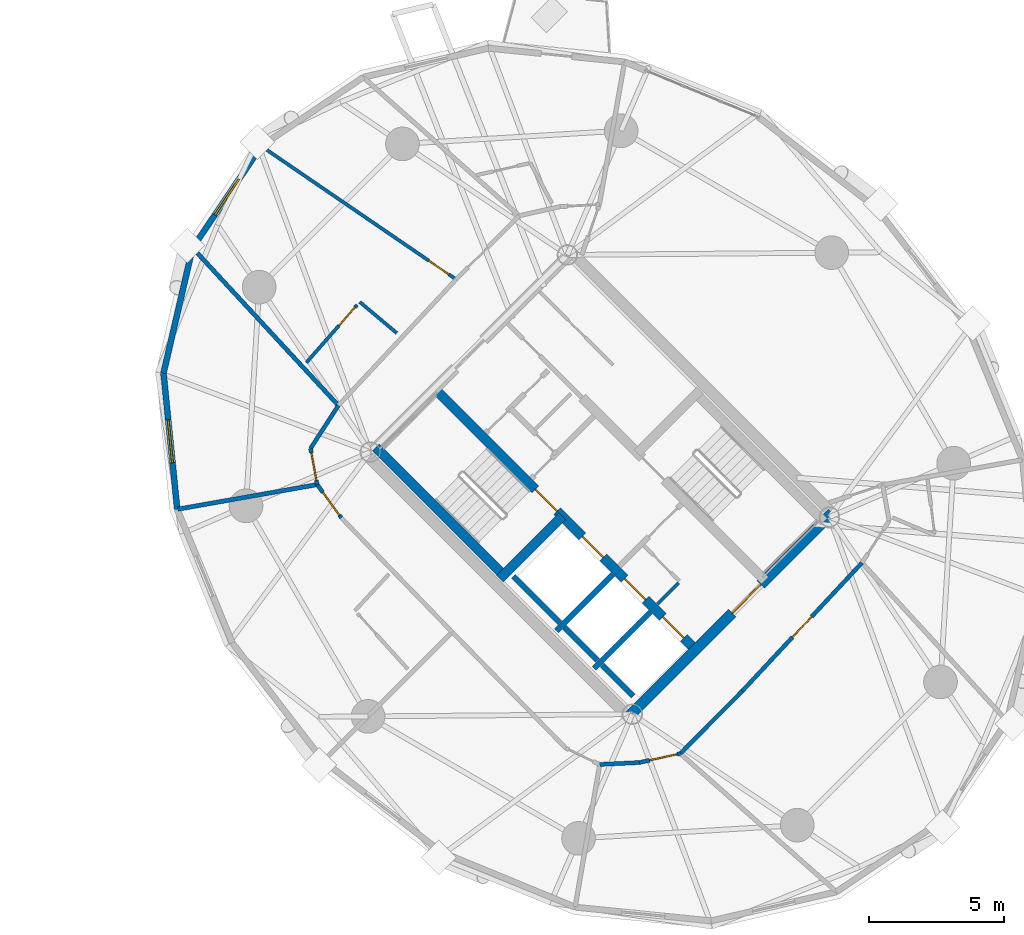
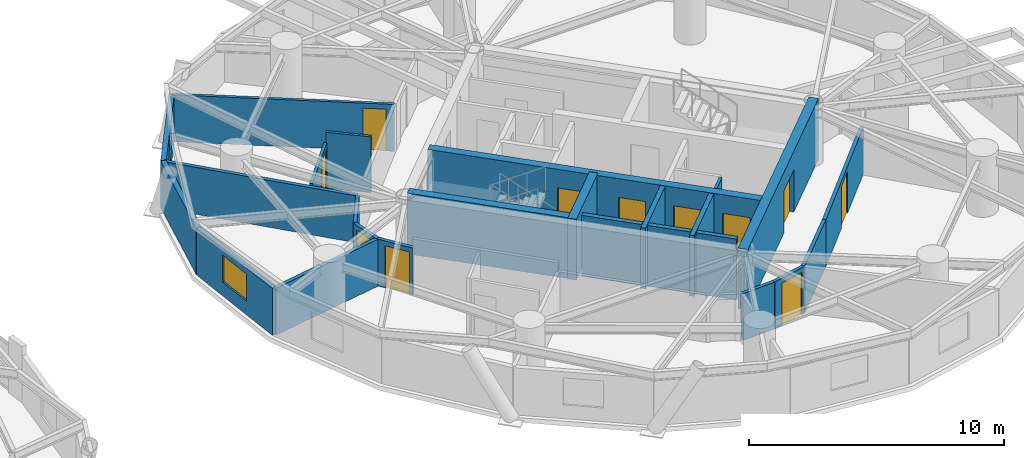
# One storey, part 13 of 19: 25 walls, 11 doors, 2 windows, 13 openings.
"""IFC4 building model written with IfcOpenShell, lengths in metres."""

from ifc_helpers import new_model, si_unit, direction, frame, frame_2d, origin, place, context, subcontext, project, spatial, rectangle, extrude, source, transform, mapped, material, layer, layer_set, type_object, element, fill, save


model = new_model("IFC4")

# Units and contexts
model_context = context("Model", 3, precision=1e-05, world=origin(), true_north=direction((0.0, 1.0)))
body_context = subcontext(model_context, "Body", "Model", "MODEL_VIEW")
ifc_project = project(units=[si_unit("LENGTHUNIT", "METRE"), si_unit("AREAUNIT", "SQUARE_METRE"), si_unit("VOLUMEUNIT", "CUBIC_METRE"), si_unit("PLANEANGLEUNIT", "RADIAN"), si_unit("MASSUNIT", "GRAM", prefix="KILO")], contexts=[model_context])

# Site, building, storey
site_placement = place(None, origin())
site = spatial("IfcSite", under=ifc_project, at=site_placement, CompositionType="ELEMENT")
building_placement = place(site_placement, origin())
building = spatial("IfcBuilding", under=site, at=building_placement, Name="Cununo Teusaquillo Station Towers", CompositionType="ELEMENT")
storey_placement = place(building_placement, frame((0.0, 0.0, 151.60009765625)))
storey = spatial("IfcBuildingStorey", under=building, at=storey_placement, Name="L47", CompositionType="ELEMENT", Elevation=151.60009765625)

# Walls
ifc_material_1 = material(Name="Concrete C50/60", Category="concrete")
ifc_layer_1 = layer(ifc_material_1, 0.199951171875)
ifc_layer_set_1 = layer_set([ifc_layer_1], Name="Concrete C50/60")
wall_type_1 = type_object("IfcWallType", Name="WL-CORE-200", PredefinedType="SHEAR", material=ifc_layer_set_1)
wall_1_placement = place(storey_placement, frame((55.8876953125, 19.0693359375, 0.0), z_axis=(0.0, 0.0, 1.0), x_axis=(0.707106781187, 0.707106781187, 0.0)))
element("IfcWall", 1, at=wall_1_placement, inside=storey, type_object=wall_type_1, Name="L47 Tower B Firefighting Lift Shaft South Shear Wall", PredefinedType="SHEAR", context=body_context, shape_type="SweptSolid", body=[
    extrude(rectangle(XDim=2.969970703125, YDim=0.199951171875, at=frame_2d((1.48486328125, 0.0))), origin(), (0.0, 0.0, 1.0), 2.909912109375),
])
wall_2_placement = place(storey_placement, frame((56.01513671875, 19.366455078125, 0.0), z_axis=(0.0, 0.0, 1.0), x_axis=(-0.707106781187, 0.707106781187, 0.0)))
element("IfcWall", 2, at=wall_2_placement, inside=storey, type_object=wall_type_1, Name="L47 Tower B Firefighting Lift Shaft Rear Shear Wall", PredefinedType="SHEAR", context=body_context, shape_type="SweptSolid", body=[
    extrude(rectangle(XDim=2.43994140625, YDim=0.199951171875, at=frame_2d((1.219970703125, 0.0))), origin(), (0.0, 0.0, 1.0), 2.909912109375),
])
wall_3_placement = place(storey_placement, frame((57.2841796875, 17.6728515625, 0.0), z_axis=(0.0, 0.0, 1.0), x_axis=(0.707147878904, 0.70706568108, 0.0)))
element("IfcWall", 3, at=wall_3_placement, inside=storey, type_object=wall_type_1, Name="L47 Tower B High-Rise Lift Hoistway Divider Shear Wall", PredefinedType="SHEAR", context=body_context, shape_type="SweptSolid", body=[
    extrude(rectangle(XDim=2.97021484375, YDim=0.199951171875, at=frame_2d((1.485107421875, 0.0))), origin(), (0.0, 0.0, 1.0), 2.909912109375),
])
wall_4_placement = place(storey_placement, frame((57.41162109375, 17.969970703125, 0.0), z_axis=(0.0, 0.0, 1.0), x_axis=(-0.707106781187, 0.707106781187, 0.0)))
element("IfcWall", 4, at=wall_4_placement, inside=storey, type_object=wall_type_1, Name="L47 Tower B High-Rise Lift 2 Shaft Rear Shear Wall", PredefinedType="SHEAR", context=body_context, shape_type="SweptSolid", body=[
    extrude(rectangle(XDim=1.73486328125, YDim=0.199951171875, at=frame_2d((0.867431640625, 0.0))), origin(), (0.0, 0.0, 1.0), 2.909912109375),
])
wall_5_placement = place(storey_placement, frame((58.7373046875, 16.64404296875, 0.0), z_axis=(0.0, 0.0, 1.0), x_axis=(-0.707032117043, 0.707181437447, 0.0)))
element("IfcWall", 5, at=wall_5_placement, inside=storey, type_object=wall_type_1, Name="L47 Tower B High-Rise Lift 1 Shaft Rear Shear Wall", PredefinedType="SHEAR", context=body_context, shape_type="SweptSolid", body=[
    extrude(rectangle(XDim=1.635009765625, YDim=0.199951171875, at=frame_2d((0.8173828125, 0.0))), origin(), (0.0, 0.0, 1.0), 2.909912109375),
])

# Wall, openings, doors
ifc_material_2 = material(Name="Concrete C50/60", Category="concrete")
ifc_layer_2 = layer(ifc_material_2, 0.35009765625)
ifc_layer_set_2 = layer_set([ifc_layer_2], Name="Concrete C50/60")
wall_type_2 = type_object("IfcWallType", Name="WL-CORE-350", PredefinedType="SHEAR", material=ifc_layer_set_2)
wall_6_placement = place(storey_placement, frame((61.060302734375, 18.372802734375, 0.0), z_axis=(0.0, 0.0, 1.0), x_axis=(-0.707106781187, 0.707106781187, 0.0)))
wall_6 = element("IfcWall", 6, at=wall_6_placement, inside=storey, type_object=wall_type_2, Name="L47 Tower B Core Shear Wall IW", PredefinedType="SHEAR", context=body_context, shape_type="SweptSolid", body=[
    extrude(rectangle(XDim=13.7001953125, YDim=0.35009765625, at=frame_2d((6.85009765625, 0.0))), origin(), (0.0, 0.0, 1.0), 2.909912109375),
])
shared_shape_1 = source(origin(), body_context, "Body", "SweptSolid", [
    extrude(rectangle(XDim=1.10009765625, YDim=2.014892578125, at=frame_2d((0.550048828125, 1.00732421875))), frame((0.0, 0.18505859375, 0.0), z_axis=(0.0, -1.0, 0.0), x_axis=(1.0, 0.0, 0.0)), (0.0, 0.0, 1.0), 0.3701171875),
])
opening_1_placement = place(wall_6_placement, frame((4.85009765625, 0.0, 0.0)))
opening_1 = element("IfcOpeningElement", 7, at=opening_1_placement, cuts=wall_6, Name="Opening LD-01", PredefinedType="OPENING", context=body_context, shape_type="MappedRepresentation", body=[
    mapped(shared_shape_1, transform((0.0, 0.0, 0.0), x_axis=(1.0, 0.0, 0.0), y_axis=(0.0, 1.0, 0.0), z_axis=(0.0, 0.0, 1.0), scale=1.0)),
])
opening_2_placement = place(wall_6_placement, frame((0.625, 0.0, 0.0)))
opening_2 = element("IfcOpeningElement", 8, at=opening_2_placement, cuts=wall_6, Name="Opening LD-01", PredefinedType="OPENING", context=body_context, shape_type="MappedRepresentation", body=[
    mapped(shared_shape_1, transform((0.0, 0.0, 0.0), x_axis=(1.0, 0.0, 0.0), y_axis=(0.0, 1.0, 0.0), z_axis=(0.0, 0.0, 1.0), scale=1.0)),
])
opening_3_placement = place(wall_6_placement, frame((2.625, 0.0, 0.0)))
opening_3 = element("IfcOpeningElement", 9, at=opening_3_placement, cuts=wall_6, Name="Opening LD-01", PredefinedType="OPENING", context=body_context, shape_type="MappedRepresentation", body=[
    mapped(shared_shape_1, transform((0.0, 0.0, 0.0), x_axis=(1.0, 0.0, 0.0), y_axis=(0.0, 1.0, 0.0), z_axis=(0.0, 0.0, 1.0), scale=1.0)),
])
shared_shape_2 = source(origin(), body_context, "Body", "SweptSolid", [
    extrude(rectangle(XDim=1.14990234375, YDim=2.02001953125, at=frame_2d((0.574951171875, 1.010009765625))), frame((0.0, 0.18505859375, 0.0), z_axis=(0.0, -1.0, 0.0), x_axis=(1.0, 0.0, 0.0)), (0.0, 0.0, 1.0), 0.3701171875),
])
opening_4_placement = place(wall_6_placement, frame((7.27001953125, 0.0, 0.0)))
opening_4 = element("IfcOpeningElement", 10, at=opening_4_placement, cuts=wall_6, Name="Opening D-ST1", PredefinedType="OPENING", context=body_context, shape_type="MappedRepresentation", body=[
    mapped(shared_shape_2, transform((0.0, 0.0, 0.0), x_axis=(1.0, 0.0, 0.0), y_axis=(0.0, 1.0, 0.0), z_axis=(0.0, 0.0, 1.0), scale=1.0)),
])
ifc_material_3 = material(Name="Galvanised fire-rated hollow steel door assembly", Category="steel")
door_type_1 = type_object("IfcDoorType", Name="DR-LIFT-1100", OperationType="SLIDING_TO_LEFT", PredefinedType="DOOR", material=ifc_material_3)
shared_shape_3 = source(origin(), body_context, "Body", "SweptSolid", [
    extrude(rectangle(XDim=1.10009765625, YDim=2.014892578125, at=frame_2d((0.550048828125, 1.00732421875))), frame((0.0, 0.02490234375, 0.0), z_axis=(0.0, -1.0, 0.0), x_axis=(1.0, 0.0, 0.0)), (0.0, 0.0, 1.0), 0.050048828125),
])
door_1_placement = place(opening_1_placement, origin())
door_1 = element("IfcDoor", 11, at=door_1_placement, inside=storey, type_object=door_type_1, Name="L47 Lift FL-T2 Sliding Landing Door", OperationType="SLIDING_TO_LEFT", OverallHeight=2.014892578125, OverallWidth=1.10009765625, PredefinedType="DOOR", context=body_context, shape_type="MappedRepresentation", body=[
    mapped(shared_shape_3, transform((0.0, 0.0, 0.0), x_axis=(1.0, 0.0, 0.0), y_axis=(0.0, 1.0, 0.0), z_axis=(0.0, 0.0, 1.0), scale=1.0)),
])
fill(opening_1, door_1)
door_2_placement = place(opening_2_placement, origin())
door_2 = element("IfcDoor", 12, at=door_2_placement, inside=storey, type_object=door_type_1, Name="L47 Lift PL-T2-H1 Sliding Landing Door", OperationType="SLIDING_TO_RIGHT", OverallHeight=2.014892578125, OverallWidth=1.10009765625, PredefinedType="DOOR", context=body_context, shape_type="MappedRepresentation", body=[
    mapped(shared_shape_3, transform((0.0, 0.0, 0.0), x_axis=(1.0, 0.0, 0.0), y_axis=(0.0, 1.0, 0.0), z_axis=(0.0, 0.0, 1.0), scale=1.0)),
])
fill(opening_2, door_2)
door_3_placement = place(opening_3_placement, origin())
door_3 = element("IfcDoor", 13, at=door_3_placement, inside=storey, type_object=door_type_1, Name="L47 Lift PL-T2-H2 Sliding Landing Door", OperationType="SLIDING_TO_LEFT", OverallHeight=2.014892578125, OverallWidth=1.10009765625, PredefinedType="DOOR", context=body_context, shape_type="MappedRepresentation", body=[
    mapped(shared_shape_3, transform((0.0, 0.0, 0.0), x_axis=(1.0, 0.0, 0.0), y_axis=(0.0, 1.0, 0.0), z_axis=(0.0, 0.0, 1.0), scale=1.0)),
])
fill(opening_3, door_3)
ifc_material_4 = material(Name="Galvanised fire-rated hollow steel door assembly", Category="steel")
door_type_2 = type_object("IfcDoorType", Name="DR-STAIR-1150", OperationType="NOTDEFINED", PredefinedType="DOOR", material=ifc_material_4)
shared_shape_4 = source(origin(), body_context, "Body", "SweptSolid", [
    extrude(rectangle(XDim=1.14990234375, YDim=2.02001953125, at=frame_2d((0.574951171875, 1.010009765625))), frame((0.0, 0.02490234375, 0.0), z_axis=(0.0, -1.0, 0.0), x_axis=(1.0, 0.0, 0.0)), (0.0, 0.0, 1.0), 0.050048828125),
])
door_4_placement = place(opening_4_placement, origin())
door_4 = element("IfcDoor", 14, at=door_4_placement, inside=storey, type_object=door_type_2, Name="L47 Tower B Exit Stair 1 Fire Door", OperationType="SINGLE_SWING_RIGHT", OverallHeight=2.02001953125, OverallWidth=1.14990234375, PredefinedType="DOOR", context=body_context, shape_type="MappedRepresentation", body=[
    mapped(shared_shape_4, transform((0.0, 0.0, 0.0), x_axis=(1.0, 0.0, 0.0), y_axis=(0.0, 1.0, 0.0), z_axis=(0.0, 0.0, 1.0), scale=1.0)),
])
fill(opening_4, door_4)

# Walls
wall_7_placement = place(storey_placement, frame((53.922119140625, 21.14111328125, 0.0), z_axis=(0.0, 0.0, 1.0), x_axis=(-0.707106781187, 0.707106781187, 0.0)))
element("IfcWall", 15, at=wall_7_placement, inside=storey, type_object=wall_type_2, Name="L47 Tower B Core Shear Wall ST1W", PredefinedType="SHEAR", context=body_context, shape_type="SweptSolid", body=[
    extrude(rectangle(XDim=6.695068359375, YDim=0.35009765625, at=frame_2d((3.34765625, 0.0))), origin(), (0.0, 0.0, 1.0), 2.909912109375),
])
wall_8_placement = place(storey_placement, frame((53.7841796875, 21.00341796875, 0.0), z_axis=(0.0, 0.0, 1.0), x_axis=(0.707106781187, 0.707106781187, 0.0)))
element("IfcWall", 16, at=wall_8_placement, inside=storey, type_object=wall_type_2, Name="L47 Tower B Core Shear Wall ST1S", PredefinedType="SHEAR", context=body_context, shape_type="SweptSolid", body=[
    extrude(rectangle(XDim=3.284912109375, YDim=0.35009765625, at=frame_2d((1.642578125, 0.0))), origin(), (0.0, 0.0, 1.0), 2.909912109375),
])

# Wall, opening, door
ifc_material_5 = material(Name="Concrete C50/60", Category="concrete")
ifc_layer_3 = layer(ifc_material_5, 0.39990234375)
ifc_layer_set_3 = layer_set([ifc_layer_3], Name="Concrete C50/60")
wall_type_3 = type_object("IfcWallType", Name="WL-CORE-400", PredefinedType="SHEAR", material=ifc_layer_set_3)
wall_9_placement = place(storey_placement, frame((58.560791015625, 15.873291015625, 0.0), z_axis=(0.0, 0.0, 1.0), x_axis=(0.707106781187, 0.707106781187, 0.0)))
wall_9 = element("IfcWall", 17, at=wall_9_placement, inside=storey, type_object=wall_type_3, Name="L47 Tower B Core Shear Wall S", PredefinedType="SHEAR", context=body_context, shape_type="SweptSolid", body=[
    extrude(rectangle(XDim=10.69970703125, YDim=0.39990234375, at=frame_2d((5.349853515625, 0.0))), origin(), (0.0, 0.0, 1.0), 2.909912109375),
])
shared_shape_5 = source(origin(), body_context, "Body", "SweptSolid", [
    extrude(rectangle(XDim=1.5, YDim=2.02001953125, at=frame_2d((0.75, 1.010009765625))), frame((0.0, 0.2099609375, 0.0), z_axis=(0.0, -1.0, 0.0), x_axis=(1.0, 0.0, 0.0)), (0.0, 0.0, 1.0), 0.419921875),
])
opening_5_placement = place(wall_9_placement, frame((5.449951171875, 0.0, 0.0)))
opening_5 = element("IfcOpeningElement", 18, at=opening_5_placement, cuts=wall_9, Name="Opening D-LB1", PredefinedType="OPENING", context=body_context, shape_type="MappedRepresentation", body=[
    mapped(shared_shape_5, transform((0.0, 0.0, 0.0), x_axis=(1.0, 0.0, 0.0), y_axis=(0.0, 1.0, 0.0), z_axis=(0.0, 0.0, 1.0), scale=1.0)),
])
ifc_material_6 = material(Name="Galvanised fire-rated hollow steel door assembly", Category="steel")
door_type_3 = type_object("IfcDoorType", Name="DR-LOBBY-1500", OperationType="DOUBLE_DOOR_SINGLE_SWING", PredefinedType="DOOR", material=ifc_material_6)
shared_shape_6 = source(origin(), body_context, "Body", "SweptSolid", [
    extrude(rectangle(XDim=1.5, YDim=2.02001953125, at=frame_2d((0.75, 1.010009765625))), frame((0.0, 0.02490234375, 0.0), z_axis=(0.0, -1.0, 0.0), x_axis=(1.0, 0.0, 0.0)), (0.0, 0.0, 1.0), 0.050048828125),
])
door_5_placement = place(opening_5_placement, origin())
door_5 = element("IfcDoor", 19, at=door_5_placement, inside=storey, type_object=door_type_3, Name="L47 Tower B South Core Lift Lobby Door", OperationType="DOUBLE_DOOR_SINGLE_SWING", OverallHeight=2.02001953125, OverallWidth=1.5, PredefinedType="DOOR", context=body_context, shape_type="MappedRepresentation", body=[
    mapped(shared_shape_6, transform((0.0, 0.0, 0.0), x_axis=(1.0, 0.0, 0.0), y_axis=(0.0, 1.0, 0.0), z_axis=(0.0, 0.0, 1.0), scale=1.0)),
])
fill(opening_5, door_5)

# Wall, opening, window
ifc_material_7 = material(Name="Precast concrete C40/50", Category="concrete")
ifc_layer_4 = layer(ifc_material_7, 0.219970703125)
ifc_layer_set_4 = layer_set([ifc_layer_4], Name="Precast concrete C40/50")
wall_type_4 = type_object("IfcWallType", Name="WL-EXT-220", PredefinedType="SOLIDWALL", material=ifc_layer_set_4)
wall_10_placement = place(storey_placement, frame((42.3779296875, 33.27880859375, 0.0), z_axis=(0.0, 0.0, 1.0), x_axis=(0.559635286042, 0.828739009952, 0.0)))
wall_10 = element("IfcWall", 20, at=wall_10_placement, inside=storey, type_object=wall_type_4, Name="L47 Tower B Exterior Facade Wall C05", PredefinedType="SOLIDWALL", context=body_context, shape_type="SweptSolid", body=[
    extrude(rectangle(XDim=4.56884765625, YDim=0.219970703125, at=frame_2d((2.284423828125, 0.0))), origin(), (0.0, 0.0, 1.0), 2.244873046875),
])
shared_shape_7 = source(origin(), body_context, "Body", "SweptSolid", [
    extrude(rectangle(XDim=1.60009765625, YDim=1.300048828125, at=frame_2d((0.800048828125, 0.64990234375))), frame((0.0, 0.119873046875, 0.0), z_axis=(0.0, -1.0, 0.0), x_axis=(1.0, 0.0, 0.0)), (0.0, 0.0, 1.0), 0.239990234375),
])
opening_6_placement = place(wall_10_placement, frame((1.48388671875, 0.0, 0.64990234375)))
opening_6 = element("IfcOpeningElement", 21, at=opening_6_placement, cuts=wall_10, Name="Opening WN-03", PredefinedType="OPENING", context=body_context, shape_type="MappedRepresentation", body=[
    mapped(shared_shape_7, transform((0.0, 0.0, 0.0), x_axis=(1.0, 0.0, 0.0), y_axis=(0.0, 1.0, 0.0), z_axis=(0.0, 0.0, 1.0), scale=1.0)),
])
ifc_material_8 = material(Name="Ceramic-fritted dark low-E double glazing", Category="glass")
window_type = type_object("IfcWindowType", Name="WIN-CORN-1600", PartitioningType="SINGLE_PANEL", PredefinedType="WINDOW", material=ifc_material_8)
shared_shape_8 = source(origin(), body_context, "Body", "SweptSolid", [
    extrude(rectangle(XDim=1.60009765625, YDim=1.300048828125, at=frame_2d((0.800048828125, 0.64990234375))), frame((0.0, 0.030029296875, 0.0), z_axis=(0.0, -1.0, 0.0), x_axis=(1.0, 0.0, 0.0)), (0.0, 0.0, 1.0), 0.06005859375),
])
window_1_placement = place(opening_6_placement, origin())
window_1 = element("IfcWindow", 22, at=window_1_placement, inside=storey, type_object=window_type, Name="L47 Tower B Facade Window C05", OverallHeight=1.300048828125, OverallWidth=1.60009765625, PartitioningType="SINGLE_PANEL", PredefinedType="WINDOW", context=body_context, shape_type="MappedRepresentation", body=[
    mapped(shared_shape_8, transform((0.0, 0.0, 0.0), x_axis=(1.0, 0.0, 0.0), y_axis=(0.0, 1.0, 0.0), z_axis=(0.0, 0.0, 1.0), scale=1.0)),
])
fill(opening_6, window_1)

# Wall
wall_11_placement = place(storey_placement, frame((41.3017578125, 28.6328125, 0.0), z_axis=(0.0, 0.0, 1.0), x_axis=(0.225659540039, 0.974206226622, 0.0)))
element("IfcWall", 23, at=wall_11_placement, inside=storey, type_object=wall_type_4, Name="L47 Tower B Exterior Facade Wall C06", PredefinedType="SOLIDWALL", context=body_context, shape_type="SweptSolid", body=[
    extrude(rectangle(XDim=4.76904296875, YDim=0.219970703125, at=frame_2d((2.384521484375, 0.0))), origin(), (0.0, 0.0, 1.0), 2.244873046875),
])

# Wall, opening, window
wall_12_placement = place(storey_placement, frame((41.810791015625, 23.582275390625, 0.0), z_axis=(0.0, 0.0, 1.0), x_axis=(-0.100279889424, 0.994959267396, 0.0)))
wall_12 = element("IfcWall", 24, at=wall_12_placement, inside=storey, type_object=wall_type_4, Name="L47 Tower B Exterior Facade Wall C07", PredefinedType="SOLIDWALL", context=body_context, shape_type="SweptSolid", body=[
    extrude(rectangle(XDim=5.076171875, YDim=0.219970703125, at=frame_2d((2.5380859375, 0.0))), origin(), (0.0, 0.0, 1.0), 2.244873046875),
])
opening_7_placement = place(wall_12_placement, frame((1.738037109375, 0.0, 0.64990234375)))
opening_7 = element("IfcOpeningElement", 25, at=opening_7_placement, cuts=wall_12, Name="Opening WN-03", PredefinedType="OPENING", context=body_context, shape_type="MappedRepresentation", body=[
    mapped(shared_shape_7, transform((0.0, 0.0, 0.0), x_axis=(1.0, 0.0, 0.0), y_axis=(0.0, 1.0, 0.0), z_axis=(0.0, 0.0, 1.0), scale=1.0)),
])
window_2_placement = place(opening_7_placement, origin())
window_2 = element("IfcWindow", 26, at=window_2_placement, inside=storey, type_object=window_type, Name="L47 Tower B Facade Window C07", OverallHeight=1.300048828125, OverallWidth=1.60009765625, PartitioningType="SINGLE_PANEL", PredefinedType="WINDOW", context=body_context, shape_type="MappedRepresentation", body=[
    mapped(shared_shape_8, transform((0.0, 0.0, 0.0), x_axis=(1.0, 0.0, 0.0), y_axis=(0.0, 1.0, 0.0), z_axis=(0.0, 0.0, 1.0), scale=1.0)),
])
fill(opening_7, window_2)

# Wall
ifc_material_9 = material(Name="Fire-rated gypsum plasterboard partition assembly", Category="gypsum")
ifc_layer_5 = layer(ifc_material_9, 0.125)
ifc_layer_set_5 = layer_set([ifc_layer_5], Name="Fire-rated gypsum plasterboard partition assembly")
wall_type_5 = type_object("IfcWallType", Name="WL-PART-125", PredefinedType="PARTITIONING", material=ifc_layer_set_5)
wall_13_placement = place(storey_placement, frame((59.642578125, 20.06640625, 0.0), z_axis=(0.0, 0.0, 1.0), x_axis=(0.707106781187, 0.707106781187, 0.0)))
element("IfcWall", 27, at=wall_13_placement, inside=storey, type_object=wall_type_5, Name="L47 Tower B North-West Lobby Store South Wall", PredefinedType="PARTITIONING", context=body_context, shape_type="SweptSolid", body=[
    extrude(rectangle(XDim=1.10009765625, YDim=0.125, at=frame_2d((0.550048828125, 0.0))), origin(), (0.0, 0.0, 1.0), 2.6748046875),
])

# Wall, opening, door
wall_14_placement = place(storey_placement, frame((52.163330078125, 32.11669921875, 0.0), z_axis=(0.0, 0.0, 1.0), x_axis=(-0.825403853282, 0.564542716707, 0.0)))
wall_14 = element("IfcWall", 28, at=wall_14_placement, inside=storey, type_object=wall_type_5, Name="L47 Tower B Cloud-Forest Hotel Suite Suite Subdividing Wall", PredefinedType="PARTITIONING", context=body_context, shape_type="SweptSolid", body=[
    extrude(rectangle(XDim=8.740478515625, YDim=0.125, at=frame_2d((4.3701171875, 0.0))), origin(), (0.0, 0.0, 1.0), 2.244873046875),
])
shared_shape_9 = source(origin(), body_context, "Body", "SweptSolid", [
    extrude(rectangle(XDim=0.89990234375, YDim=2.0048828125, at=frame_2d((0.449951171875, 1.00244140625))), frame((0.0, 0.072509765625, 0.0), z_axis=(0.0, -1.0, 0.0), x_axis=(1.0, 0.0, 0.0)), (0.0, 0.0, 1.0), 0.14501953125),
])
opening_8_placement = place(wall_14_placement, frame((0.330078125, 0.0, 0.0)))
opening_8 = element("IfcOpeningElement", 29, at=opening_8_placement, cuts=wall_14, Name="Opening D-IN1", PredefinedType="OPENING", context=body_context, shape_type="MappedRepresentation", body=[
    mapped(shared_shape_9, transform((0.0, 0.0, 0.0), x_axis=(1.0, 0.0, 0.0), y_axis=(0.0, 1.0, 0.0), z_axis=(0.0, 0.0, 1.0), scale=1.0)),
])
ifc_material_10 = material(Name="Acoustic solid-core hardwood leaf assembly", Category="wood")
door_type_4 = type_object("IfcDoorType", Name="DR-INT-900", OperationType="NOTDEFINED", PredefinedType="DOOR", material=ifc_material_10)
shared_shape_10 = source(origin(), body_context, "Body", "SweptSolid", [
    extrude(rectangle(XDim=0.89990234375, YDim=2.0048828125, at=frame_2d((0.449951171875, 1.00244140625))), frame((0.0, 0.02490234375, 0.0), z_axis=(0.0, -1.0, 0.0), x_axis=(1.0, 0.0, 0.0)), (0.0, 0.0, 1.0), 0.050048828125),
])
door_6_placement = place(opening_8_placement, origin())
door_6 = element("IfcDoor", 30, at=door_6_placement, inside=storey, type_object=door_type_4, Name="L47 Tower B Cloud-Forest Hotel Suite Suite Connecting Door", OperationType="SINGLE_SWING_RIGHT", OverallHeight=2.0048828125, OverallWidth=0.89990234375, PredefinedType="DOOR", context=body_context, shape_type="MappedRepresentation", body=[
    mapped(shared_shape_10, transform((0.0, 0.0, 0.0), x_axis=(1.0, 0.0, 0.0), y_axis=(0.0, 1.0, 0.0), z_axis=(0.0, 0.0, 1.0), scale=1.0)),
])
fill(opening_8, door_6)

# Wall
wall_15_placement = place(storey_placement, frame((49.961181640625, 30.1240234375, 0.0), z_axis=(0.0, 0.0, 1.0), x_axis=(-0.766210982885, 0.64258908309, 0.0)))
element("IfcWall", 31, at=wall_15_placement, inside=storey, type_object=wall_type_5, Name="L47 Tower B S02 En-suite Side Wall", PredefinedType="PARTITIONING", context=body_context, shape_type="SweptSolid", body=[
    extrude(rectangle(XDim=1.795166015625, YDim=0.125, at=frame_2d((0.8974609375, 0.0))), origin(), (0.0, 0.0, 1.0), 2.6748046875),
])

# Wall, opening, door
wall_16_placement = place(storey_placement, frame((48.487548828125, 31.166015625, 0.0), z_axis=(0.0, 0.0, 1.0), x_axis=(-0.660635615229, -0.750706722956, 0.0)))
wall_16 = element("IfcWall", 32, at=wall_16_placement, inside=storey, type_object=wall_type_5, Name="L47 Tower B S02 En-suite Back Wall", PredefinedType="PARTITIONING", context=body_context, shape_type="SweptSolid", body=[
    extrude(rectangle(XDim=2.8515625, YDim=0.125, at=frame_2d((1.42578125, 0.0))), origin(), (0.0, 0.0, 1.0), 2.244873046875),
])
opening_9_placement = place(wall_16_placement, frame((0.1201171875, 0.0, 0.0)))
opening_9 = element("IfcOpeningElement", 33, at=opening_9_placement, cuts=wall_16, Name="Opening D-IN1", PredefinedType="OPENING", context=body_context, shape_type="MappedRepresentation", body=[
    mapped(shared_shape_9, transform((0.0, 0.0, 0.0), x_axis=(1.0, 0.0, 0.0), y_axis=(0.0, 1.0, 0.0), z_axis=(0.0, 0.0, 1.0), scale=1.0)),
])
door_7_placement = place(opening_9_placement, origin())
door_7 = element("IfcDoor", 34, at=door_7_placement, inside=storey, type_object=door_type_4, Name="L47 Tower B S02 En-suite Bathroom Door", OperationType="SINGLE_SWING_LEFT", OverallHeight=2.0048828125, OverallWidth=0.89990234375, PredefinedType="DOOR", context=body_context, shape_type="MappedRepresentation", body=[
    mapped(shared_shape_10, transform((0.0, 0.0, 0.0), x_axis=(1.0, 0.0, 0.0), y_axis=(0.0, 1.0, 0.0), z_axis=(0.0, 0.0, 1.0), scale=1.0)),
])
fill(opening_9, door_7)

# Wall
ifc_material_11 = material(Name="Fire-rated gypsum plasterboard partition assembly", Category="gypsum")
ifc_layer_6 = layer(ifc_material_11, 0.14990234375)
ifc_layer_set_6 = layer_set([ifc_layer_6], Name="Fire-rated gypsum plasterboard partition assembly")
wall_type_6 = type_object("IfcWallType", Name="WL-PART-150", PredefinedType="PARTITIONING", material=ifc_layer_set_6)
wall_17_placement = place(storey_placement, frame((47.79248046875, 27.435791015625, 0.0), z_axis=(0.0, 0.0, 1.0), x_axis=(-0.543086162542, -0.839676973637, 0.0)))
element("IfcWall", 35, at=wall_17_placement, inside=storey, type_object=wall_type_6, Name="L47 Tower B Corridor Ring Wall C06", PredefinedType="PARTITIONING", context=body_context, shape_type="SweptSolid", body=[
    extrude(rectangle(XDim=1.900634765625, YDim=0.14990234375, at=frame_2d((0.9501953125, 0.0))), origin(), (0.0, 0.0, 1.0), 2.244873046875),
])

# Wall, opening, door
wall_18_placement = place(storey_placement, frame((46.76025390625, 25.83984375, 0.0), z_axis=(0.0, 0.0, 1.0), x_axis=(0.181230731673, -0.983440604153, 0.0)))
wall_18 = element("IfcWall", 36, at=wall_18_placement, inside=storey, type_object=wall_type_6, Name="L47 Tower B Corridor Ring Wall C07", PredefinedType="PARTITIONING", context=body_context, shape_type="SweptSolid", body=[
    extrude(rectangle(XDim=1.36474609375, YDim=0.14990234375, at=frame_2d((0.682373046875, 0.0))), origin(), (0.0, 0.0, 1.0), 2.244873046875),
])
shared_shape_11 = source(origin(), body_context, "Body", "SweptSolid", [
    extrude(rectangle(XDim=1.050048828125, YDim=2.014892578125, at=frame_2d((0.52490234375, 1.00732421875))), frame((0.0, 0.0849609375, 0.0), z_axis=(0.0, -1.0, 0.0), x_axis=(1.0, 0.0, 0.0)), (0.0, 0.0, 1.0), 0.169921875),
])
opening_10_placement = place(wall_18_placement, frame((0.1572265625, 0.0, 0.0)))
opening_10 = element("IfcOpeningElement", 37, at=opening_10_placement, cuts=wall_18, Name="Opening D-SU1", PredefinedType="OPENING", context=body_context, shape_type="MappedRepresentation", body=[
    mapped(shared_shape_11, transform((0.0, 0.0, 0.0), x_axis=(1.0, 0.0, 0.0), y_axis=(0.0, 1.0, 0.0), z_axis=(0.0, 0.0, 1.0), scale=1.0)),
])
ifc_material_12 = material(Name="Acoustic solid-core hardwood leaf assembly", Category="wood")
door_type_5 = type_object("IfcDoorType", Name="DR-SUITE-1050", OperationType="NOTDEFINED", PredefinedType="DOOR", material=ifc_material_12)
shared_shape_12 = source(origin(), body_context, "Body", "SweptSolid", [
    extrude(rectangle(XDim=1.050048828125, YDim=2.014892578125, at=frame_2d((0.52490234375, 1.00732421875))), frame((0.0, 0.02490234375, 0.0), z_axis=(0.0, -1.0, 0.0), x_axis=(1.0, 0.0, 0.0)), (0.0, 0.0, 1.0), 0.050048828125),
])
door_8_placement = place(opening_10_placement, origin())
door_8 = element("IfcDoor", 38, at=door_8_placement, inside=storey, type_object=door_type_5, Name="L47 Tower B Sky Sommelier Lounge Entrance Door", OperationType="SINGLE_SWING_RIGHT", OverallHeight=2.014892578125, OverallWidth=1.050048828125, PredefinedType="DOOR", context=body_context, shape_type="MappedRepresentation", body=[
    mapped(shared_shape_12, transform((0.0, 0.0, 0.0), x_axis=(1.0, 0.0, 0.0), y_axis=(0.0, 1.0, 0.0), z_axis=(0.0, 0.0, 1.0), scale=1.0)),
])
fill(opening_10, door_8)

wall_19_placement = place(storey_placement, frame((47.007568359375, 24.497802734375, 0.0), z_axis=(0.0, 0.0, 1.0), x_axis=(0.586941299514, -0.809629489906, 0.0)))
wall_19 = element("IfcWall", 39, at=wall_19_placement, inside=storey, type_object=wall_type_6, Name="L47 Tower B Corridor Ring Wall C08", PredefinedType="PARTITIONING", context=body_context, shape_type="SweptSolid", body=[
    extrude(rectangle(XDim=1.522705078125, YDim=0.14990234375, at=frame_2d((0.76123046875, 0.0))), origin(), (0.0, 0.0, 1.0), 2.244873046875),
])
opening_11_placement = place(wall_19_placement, frame((0.352783203125, 0.0, 0.0)))
opening_11 = element("IfcOpeningElement", 40, at=opening_11_placement, cuts=wall_19, Name="Opening D-SU1", PredefinedType="OPENING", context=body_context, shape_type="MappedRepresentation", body=[
    mapped(shared_shape_11, transform((0.0, 0.0, 0.0), x_axis=(1.0, 0.0, 0.0), y_axis=(0.0, 1.0, 0.0), z_axis=(0.0, 0.0, 1.0), scale=1.0)),
])
door_9_placement = place(opening_11_placement, origin())
door_9 = element("IfcDoor", 41, at=door_9_placement, inside=storey, type_object=door_type_5, Name="L47 Tower B Andean Crest Hotel Suite Entrance Door", OperationType="SINGLE_SWING_LEFT", OverallHeight=2.014892578125, OverallWidth=1.050048828125, PredefinedType="DOOR", context=body_context, shape_type="MappedRepresentation", body=[
    mapped(shared_shape_12, transform((0.0, 0.0, 0.0), x_axis=(1.0, 0.0, 0.0), y_axis=(0.0, 1.0, 0.0), z_axis=(0.0, 0.0, 1.0), scale=1.0)),
])
fill(opening_11, door_9)

# Wall
wall_20_placement = place(storey_placement, frame((57.49658203125, 14.108642578125, 0.0), z_axis=(0.0, 0.0, 1.0), x_axis=(0.998828286318, 0.048394777109, 0.0)))
element("IfcWall", 42, at=wall_20_placement, inside=storey, type_object=wall_type_6, Name="L47 Tower B Corridor Ring Wall C12", PredefinedType="PARTITIONING", context=body_context, shape_type="SweptSolid", body=[
    extrude(rectangle(XDim=1.468017578125, YDim=0.14990234375, at=frame_2d((0.73388671875, 0.0))), origin(), (0.0, 0.0, 1.0), 2.244873046875),
])

# Wall, opening, door
wall_21_placement = place(storey_placement, frame((58.962890625, 14.1796875, 0.0), z_axis=(0.0, 0.0, 1.0), x_axis=(0.976826524015, 0.214032572243, 0.0)))
wall_21 = element("IfcWall", 43, at=wall_21_placement, inside=storey, type_object=wall_type_6, Name="L47 Tower B Corridor Ring Wall C13", PredefinedType="PARTITIONING", context=body_context, shape_type="SweptSolid", body=[
    extrude(rectangle(XDim=1.5615234375, YDim=0.14990234375, at=frame_2d((0.78076171875, 0.0))), origin(), (0.0, 0.0, 1.0), 2.244873046875),
])
opening_12_placement = place(wall_21_placement, frame((0.3916015625, 0.0, 0.0)))
opening_12 = element("IfcOpeningElement", 44, at=opening_12_placement, cuts=wall_21, Name="Opening D-SU1", PredefinedType="OPENING", context=body_context, shape_type="MappedRepresentation", body=[
    mapped(shared_shape_11, transform((0.0, 0.0, 0.0), x_axis=(1.0, 0.0, 0.0), y_axis=(0.0, 1.0, 0.0), z_axis=(0.0, 0.0, 1.0), scale=1.0)),
])
door_10_placement = place(opening_12_placement, origin())
door_10 = element("IfcDoor", 45, at=door_10_placement, inside=storey, type_object=door_type_5, Name="L47 Tower B High-Altitude Tea Salon Entrance Door", OperationType="SINGLE_SWING_RIGHT", OverallHeight=2.014892578125, OverallWidth=1.050048828125, PredefinedType="DOOR", context=body_context, shape_type="MappedRepresentation", body=[
    mapped(shared_shape_12, transform((0.0, 0.0, 0.0), x_axis=(1.0, 0.0, 0.0), y_axis=(0.0, 1.0, 0.0), z_axis=(0.0, 0.0, 1.0), scale=1.0)),
])
fill(opening_12, door_10)

# Wall
wall_22_placement = place(storey_placement, frame((60.48828125, 14.513916015625, 0.0), z_axis=(0.0, 0.0, 1.0), x_axis=(0.703880260405, 0.71031864611, 0.0)))
element("IfcWall", 46, at=wall_22_placement, inside=storey, type_object=wall_type_6, Name="L47 Tower B Corridor Ring Wall C14", PredefinedType="PARTITIONING", context=body_context, shape_type="SweptSolid", body=[
    extrude(rectangle(XDim=3.260986328125, YDim=0.14990234375, at=frame_2d((1.63037109375, 0.0))), origin(), (0.0, 0.0, 1.0), 2.244873046875),
])

# Wall, opening, door
wall_23_placement = place(storey_placement, frame((62.78369140625, 16.830322265625, 0.0), z_axis=(0.0, 0.0, 1.0), x_axis=(0.682240832942, 0.731127516831, 0.0)))
wall_23 = element("IfcWall", 47, at=wall_23_placement, inside=storey, type_object=wall_type_6, Name="L47 Tower B Corridor Ring Wall C15", PredefinedType="PARTITIONING", context=body_context, shape_type="SweptSolid", body=[
    extrude(rectangle(XDim=6.51708984375, YDim=0.14990234375, at=frame_2d((3.258544921875, 0.0))), origin(), (0.0, 0.0, 1.0), 2.244873046875),
])
opening_13_placement = place(wall_23_placement, frame((2.733642578125, 0.0, 0.0)))
opening_13 = element("IfcOpeningElement", 48, at=opening_13_placement, cuts=wall_23, Name="Opening D-SU1", PredefinedType="OPENING", context=body_context, shape_type="MappedRepresentation", body=[
    mapped(shared_shape_11, transform((0.0, 0.0, 0.0), x_axis=(1.0, 0.0, 0.0), y_axis=(0.0, 1.0, 0.0), z_axis=(0.0, 0.0, 1.0), scale=1.0)),
])
door_11_placement = place(opening_13_placement, origin())
door_11 = element("IfcDoor", 49, at=door_11_placement, inside=storey, type_object=door_type_5, Name="L47 Tower B Hotel Housekeeping & Linen Pantry Entrance Door", OperationType="SINGLE_SWING_LEFT", OverallHeight=2.014892578125, OverallWidth=1.050048828125, PredefinedType="DOOR", context=body_context, shape_type="MappedRepresentation", body=[
    mapped(shared_shape_12, transform((0.0, 0.0, 0.0), x_axis=(1.0, 0.0, 0.0), y_axis=(0.0, 1.0, 0.0), z_axis=(0.0, 0.0, 1.0), scale=1.0)),
])
fill(opening_13, door_11)

# Walls
ifc_material_13 = material(Name="Fire-rated gypsum plasterboard partition assembly", Category="gypsum")
ifc_layer_7 = layer(ifc_material_13, 0.159912109375)
ifc_layer_set_7 = layer_set([ifc_layer_7], Name="Fire-rated gypsum plasterboard partition assembly")
wall_type_7 = type_object("IfcWallType", Name="WL-PART-160", PredefinedType="PARTITIONING", material=ifc_layer_set_7)
wall_24_placement = place(storey_placement, frame((47.79248046875, 27.435791015625, 0.0), z_axis=(0.0, 0.0, 1.0), x_axis=(-0.679077160958, 0.734066897132, 0.0)))
element("IfcWall", 50, at=wall_24_placement, inside=storey, type_object=wall_type_7, Name="L47 Tower B Radial Suite Partition R03", PredefinedType="PARTITIONING", context=body_context, shape_type="SweptSolid", body=[
    extrude(rectangle(XDim=7.947265625, YDim=0.159912109375, at=frame_2d((3.9736328125, 0.0))), origin(), (0.0, 0.0, 1.0), 2.244873046875),
])
wall_25_placement = place(storey_placement, frame((47.007568359375, 24.497802734375, 0.0), z_axis=(0.0, 0.0, 1.0), x_axis=(-0.984823741496, -0.173557478046, 0.0)))
element("IfcWall", 51, at=wall_25_placement, inside=storey, type_object=wall_type_7, Name="L47 Tower B Radial Suite Partition R04", PredefinedType="PARTITIONING", context=body_context, shape_type="SweptSolid", body=[
    extrude(rectangle(XDim=5.2568359375, YDim=0.159912109375, at=frame_2d((2.62841796875, 0.0))), origin(), (0.0, 0.0, 1.0), 2.244873046875),
])

save(model, "model.ifc")
